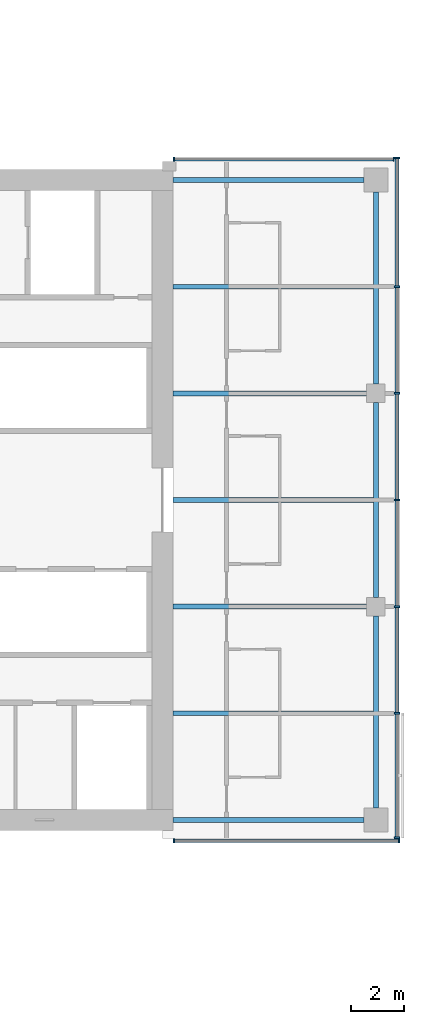
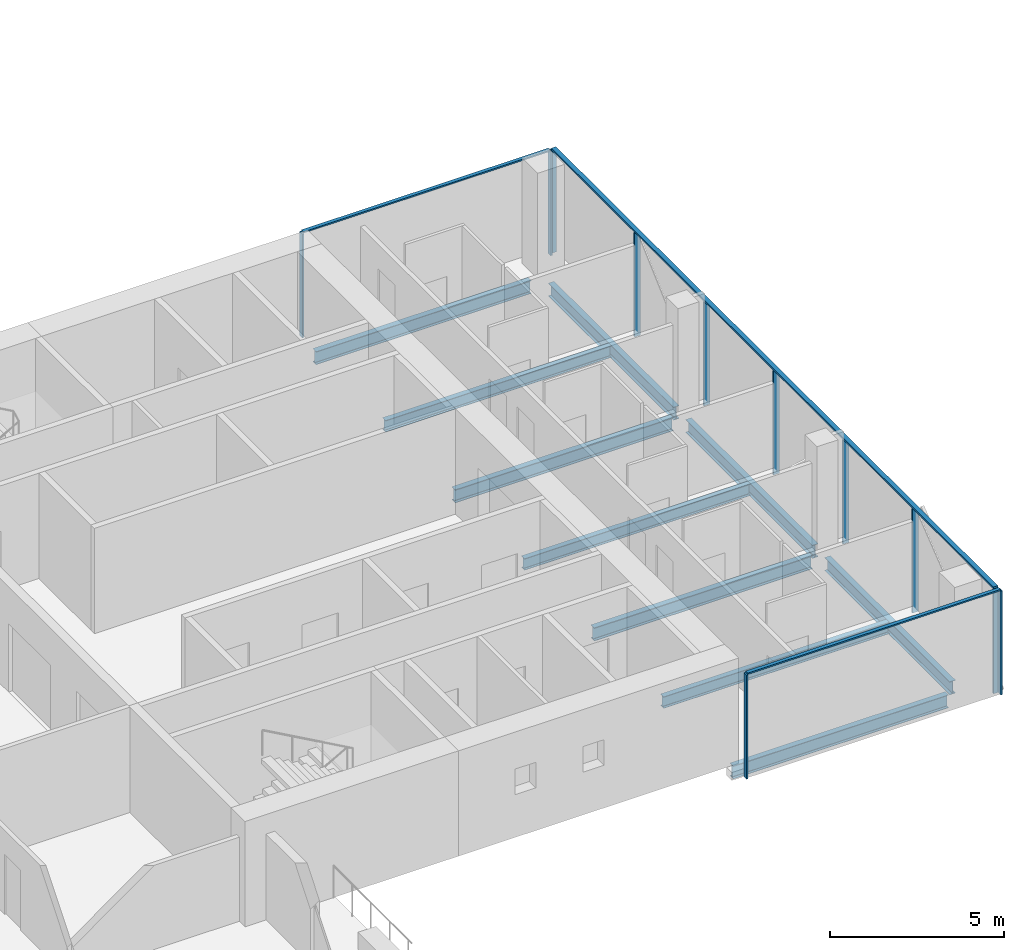
# One storey, part 11 of 27: 14 members, 10 beams, 3 elements without a shape of their own.
"""IFC4 building model written with IfcOpenShell, lengths in metres."""

from ifc_helpers import new_model, si_unit, direction, frame, origin, origin_2d, place, context, subcontext, project, spatial, rectangle, i_section, extrude, material, material_profile, profile_set, type_object, element, aggregate, save


model = new_model("IFC4")

# Units and contexts
model_context = context("Model", 3, precision=1e-05, world=origin(), true_north=direction((0.0, 1.0)))
body_context = subcontext(model_context, "Body", "Model", "MODEL_VIEW")
ifc_project = project(units=[si_unit("LENGTHUNIT", "METRE"), si_unit("AREAUNIT", "SQUARE_METRE"), si_unit("VOLUMEUNIT", "CUBIC_METRE"), si_unit("PLANEANGLEUNIT", "RADIAN"), si_unit("MASSUNIT", "GRAM", prefix="KILO")], contexts=[model_context])

# Site, building, storey
site_placement = place(None, origin())
site = spatial("IfcSite", under=ifc_project, at=site_placement, CompositionType="ELEMENT")
building_placement = place(site_placement, origin())
building = spatial("IfcBuilding", under=site, at=building_placement, Name="Crosswind Convention Tower", CompositionType="ELEMENT")
storey_placement = place(building_placement, frame((0.0, 0.0, 86.800048828125)))
storey = spatial("IfcBuildingStorey", under=building, at=storey_placement, Name="L16", CompositionType="ELEMENT", Elevation=86.800048828125)

# Beams
ifc_material_1 = material(Name="Steel S355", Category="steel")
ifc_material_profile_1 = material_profile(ifc_material_1, i_section(OverallWidth=0.1904296875, OverallDepth=0.457275390625, WebThickness=0.009033203125, FlangeThickness=0.014404296875, FilletRadius=0.01025390625, at=origin_2d()), Name="UB 457x191x75")
ifc_profile_set_1 = profile_set([ifc_material_profile_1], Name="Steel S355")
beam_type_1 = type_object("IfcBeamType", Name="Edge beam UB 457x191x75", PredefinedType="SPANDREL", material=ifc_profile_set_1)
for number, where, z_axis, x_axis, name in (
    (1, (153.39990234375, 88.0, -0.508544921875), (1.0, 0.0, 0.0), (0.0, 1.0, 0.0), "B17 L16 edge beam 24"),
    (2, (153.39990234375, 112.0, -0.508544921875), (1.0, 0.0, 0.0), (0.0, 1.0, 0.0), "B17 L16 edge beam 25"),
):
    element("IfcBeam", number, at=place(storey_placement, frame(where, z_axis=z_axis, x_axis=x_axis)), inside=storey, type_object=beam_type_1, Name=name, PredefinedType="SPANDREL", context=body_context, shape_type="SweptSolid", body=[
        extrude(i_section(OverallWidth=0.1904296875, OverallDepth=0.457275390625, WebThickness=0.009033203125, FlangeThickness=0.014404296875, FilletRadius=0.01025390625, at=origin_2d()), origin(), (0.0, 0.0, 1.0), 7.150146484375),
    ])
beam_1_placement = place(storey_placement, frame((161.0, 88.449951171875, -0.508544921875), z_axis=(0.0, 1.0, 0.0), x_axis=(-1.0, 0.0, 0.0)))
element("IfcBeam", 3, at=beam_1_placement, inside=storey, type_object=beam_type_1, Name="B17 L16 edge beam 26", PredefinedType="SPANDREL", context=body_context, shape_type="SweptSolid", body=[
    extrude(i_section(OverallWidth=0.1904296875, OverallDepth=0.457275390625, WebThickness=0.009033203125, FlangeThickness=0.014404296875, FilletRadius=0.01025390625, at=origin_2d()), origin(), (0.0, 0.0, 1.0), 7.199951171875),
])
beam_2_placement = place(storey_placement, frame((161.0, 96.35009765625, -0.508544921875), z_axis=(0.0, 1.0, 0.0), x_axis=(-1.0, 0.0, 0.0)))
element("IfcBeam", 4, at=beam_2_placement, inside=storey, type_object=beam_type_1, Name="B17 L16 edge beam 27", PredefinedType="SPANDREL", context=body_context, shape_type="SweptSolid", body=[
    extrude(i_section(OverallWidth=0.1904296875, OverallDepth=0.457275390625, WebThickness=0.009033203125, FlangeThickness=0.014404296875, FilletRadius=0.01025390625, at=origin_2d()), origin(), (0.0, 0.0, 1.0), 7.2998046875),
])
beam_3_placement = place(storey_placement, frame((161.0, 104.35009765625, -0.508544921875), z_axis=(0.0, 1.0, 0.0), x_axis=(-1.0, 0.0, 0.0)))
element("IfcBeam", 5, at=beam_3_placement, inside=storey, type_object=beam_type_1, Name="B17 L16 edge beam 28", PredefinedType="SPANDREL", context=body_context, shape_type="SweptSolid", body=[
    extrude(i_section(OverallWidth=0.1904296875, OverallDepth=0.457275390625, WebThickness=0.009033203125, FlangeThickness=0.014404296875, FilletRadius=0.01025390625, at=origin_2d()), origin(), (0.0, 0.0, 1.0), 7.199951171875),
])
ifc_material_profile_2 = material_profile(ifc_material_1, i_section(OverallWidth=0.19189453125, OverallDepth=0.463623046875, WebThickness=0.010498046875, FlangeThickness=0.017578125, FilletRadius=0.01025390625, at=origin_2d()), Name="UB 457x191x90")
ifc_profile_set_2 = profile_set([ifc_material_profile_2], Name="Steel S355")
beam_type_2 = type_object("IfcBeamType", Name="Girder at core wall UB 457x191x90", PredefinedType="BEAM", material=ifc_profile_set_2)
for number, where, z_axis, x_axis, name in (
    (6, (153.39990234375, 96.0, -0.511962890625), (1.0, 0.0, 0.0), (0.0, 1.0, 0.0), "B24 L16 girder at core wall 11"),
    (7, (153.39990234375, 104.0, -0.511962890625), (1.0, 0.0, 0.0), (0.0, 1.0, 0.0), "B24 L16 girder at core wall 12"),
):
    element("IfcBeam", number, at=place(storey_placement, frame(where, z_axis=z_axis, x_axis=x_axis)), inside=storey, type_object=beam_type_2, Name=name, PredefinedType="BEAM", context=body_context, shape_type="SweptSolid", body=[
        extrude(i_section(OverallWidth=0.19189453125, OverallDepth=0.463623046875, WebThickness=0.010498046875, FlangeThickness=0.017578125, FilletRadius=0.01025390625, at=origin_2d()), origin(), (0.0, 0.0, 1.0), 7.25),
    ])

# Curtain wall, members
ifc_material_2 = material(Name="Aluminium unitised curtain wall", Category="aluminium")
curtain_wall_type_1 = type_object("IfcCurtainWallType", Name="CORE END SLOT WALL 160", PredefinedType="USERDEFINED", material=ifc_material_2)
curtain_wall_1_placement = place(storey_placement, origin())
curtain_wall_1 = element("IfcCurtainWall", 8, at=curtain_wall_1_placement, inside=storey, type_object=curtain_wall_type_1, Name="CW6 L16 E-N.1-1 slot", ObjectType="UNITISED", PredefinedType="USERDEFINED")
ifc_material_3 = material(Name="Aluminium mullion", Category="aluminium")
ifc_material_profile_3 = material_profile(ifc_material_3, rectangle(XDim=0.159912109375, YDim=0.050048828125, at=origin_2d()), Name="AL 160X50")
ifc_profile_set_3 = profile_set([ifc_material_profile_3], Name="Aluminium mullion")
member_type_1 = type_object("IfcMemberType", Name="MULLION 50X160", PredefinedType="MULLION", material=ifc_profile_set_3)
member_1_placement = place(storey_placement, frame((161.675048828125, 112.780029296875, -0.280029296875), z_axis=(0.0, 0.0, 1.0), x_axis=(0.0, 1.0, 0.0)))
member_1 = element("IfcMember", 9, at=member_1_placement, type_object=member_type_1, Name="CW6 mullion 1", PredefinedType="MULLION", context=body_context, shape_type="SweptSolid", body=[
    extrude(rectangle(XDim=0.159912109375, YDim=0.050048828125, at=origin_2d()), origin(), (0.0, 0.0, 1.0), 3.64990234375),
])
member_2_placement = place(storey_placement, frame((153.425048828125, 112.780029296875, -0.280029296875), z_axis=(0.0, 0.0, 1.0), x_axis=(0.0, 1.0, 0.0)))
member_2 = element("IfcMember", 10, at=member_2_placement, type_object=member_type_1, Name="CW6 mullion 2", PredefinedType="MULLION", context=body_context, shape_type="SweptSolid", body=[
    extrude(rectangle(XDim=0.159912109375, YDim=0.050048828125, at=origin_2d()), origin(), (0.0, 0.0, 1.0), 3.64990234375),
])

curtain_wall_2_placement = place(storey_placement, origin())
curtain_wall_2 = element("IfcCurtainWall", 11, at=curtain_wall_2_placement, inside=storey, type_object=curtain_wall_type_1, Name="CW6 L16 E-S.2-1 slot", ObjectType="UNITISED", PredefinedType="USERDEFINED")
member_3_placement = place(storey_placement, frame((153.425048828125, 87.219970703125, -0.280029296875), z_axis=(0.0, 0.0, 1.0), x_axis=(0.0, -1.0, 0.0)))
member_3 = element("IfcMember", 12, at=member_3_placement, type_object=member_type_1, Name="CW6 mullion 1", PredefinedType="MULLION", context=body_context, shape_type="SweptSolid", body=[
    extrude(rectangle(XDim=0.159912109375, YDim=0.050048828125, at=origin_2d()), origin(), (0.0, 0.0, 1.0), 3.64990234375),
])
member_4_placement = place(storey_placement, frame((161.875, 87.219970703125, -0.280029296875), z_axis=(0.0, 0.0, 1.0), x_axis=(0.0, -1.0, 0.0)))
member_4 = element("IfcMember", 13, at=member_4_placement, type_object=member_type_1, Name="CW6 mullion 2", PredefinedType="MULLION", context=body_context, shape_type="SweptSolid", body=[
    extrude(rectangle(XDim=0.159912109375, YDim=0.050048828125, at=origin_2d()), origin(), (0.0, 0.0, 1.0), 3.64990234375),
])

curtain_wall_type_2 = type_object("IfcCurtainWallType", Name="HOTEL UNITISED WALL 200", PredefinedType="USERDEFINED", material=ifc_material_2)
curtain_wall_3_placement = place(storey_placement, origin())
curtain_wall_3 = element("IfcCurtainWall", 14, at=curtain_wall_3_placement, inside=storey, type_object=curtain_wall_type_2, Name="CW2 L16 E-TIP 1", ObjectType="UNITISED", PredefinedType="USERDEFINED")
ifc_material_profile_4 = material_profile(ifc_material_3, rectangle(XDim=0.199951171875, YDim=0.06494140625, at=origin_2d()), Name="AL 200X65")
ifc_profile_set_4 = profile_set([ifc_material_profile_4], Name="Aluminium mullion")
member_type_2 = type_object("IfcMemberType", Name="MULLION 65X200", PredefinedType="MULLION", material=ifc_profile_set_4)
member_5_placement = place(storey_placement, frame((161.800048828125, 87.33251953125, -0.280029296875), z_axis=(0.0, 0.0, 1.0), x_axis=(1.0, 0.0, 0.0)))
member_5 = element("IfcMember", 15, at=member_5_placement, type_object=member_type_2, Name="CW2 mullion 1", PredefinedType="MULLION", context=body_context, shape_type="SweptSolid", body=[
    extrude(rectangle(XDim=0.199951171875, YDim=0.06494140625, at=origin_2d()), origin(), (0.0, 0.0, 1.0), 3.635009765625),
])
member_6_placement = place(storey_placement, frame((161.800048828125, 92.0, -0.280029296875), z_axis=(0.0, 0.0, 1.0), x_axis=(1.0, 0.0, 0.0)))
member_6 = element("IfcMember", 16, at=member_6_placement, type_object=member_type_2, Name="CW2 mullion 2", PredefinedType="MULLION", context=body_context, shape_type="SweptSolid", body=[
    extrude(rectangle(XDim=0.199951171875, YDim=0.06494140625, at=origin_2d()), origin(), (0.0, 0.0, 1.0), 3.635009765625),
])
member_7_placement = place(storey_placement, frame((161.800048828125, 96.0, -0.280029296875), z_axis=(0.0, 0.0, 1.0), x_axis=(1.0, 0.0, 0.0)))
member_7 = element("IfcMember", 17, at=member_7_placement, type_object=member_type_2, Name="CW2 mullion 3", PredefinedType="MULLION", context=body_context, shape_type="SweptSolid", body=[
    extrude(rectangle(XDim=0.199951171875, YDim=0.06494140625, at=origin_2d()), origin(), (0.0, 0.0, 1.0), 3.635009765625),
])
member_8_placement = place(storey_placement, frame((161.800048828125, 100.0, -0.280029296875), z_axis=(0.0, 0.0, 1.0), x_axis=(1.0, 0.0, 0.0)))
member_8 = element("IfcMember", 18, at=member_8_placement, type_object=member_type_2, Name="CW2 mullion 4", PredefinedType="MULLION", context=body_context, shape_type="SweptSolid", body=[
    extrude(rectangle(XDim=0.199951171875, YDim=0.06494140625, at=origin_2d()), origin(), (0.0, 0.0, 1.0), 3.635009765625),
])
member_9_placement = place(storey_placement, frame((161.800048828125, 104.0, -0.280029296875), z_axis=(0.0, 0.0, 1.0), x_axis=(1.0, 0.0, 0.0)))
member_9 = element("IfcMember", 19, at=member_9_placement, type_object=member_type_2, Name="CW2 mullion 5", PredefinedType="MULLION", context=body_context, shape_type="SweptSolid", body=[
    extrude(rectangle(XDim=0.199951171875, YDim=0.06494140625, at=origin_2d()), origin(), (0.0, 0.0, 1.0), 3.635009765625),
])
member_10_placement = place(storey_placement, frame((161.800048828125, 108.0, -0.280029296875), z_axis=(0.0, 0.0, 1.0), x_axis=(1.0, 0.0, 0.0)))
member_10 = element("IfcMember", 20, at=member_10_placement, type_object=member_type_2, Name="CW2 mullion 6", PredefinedType="MULLION", context=body_context, shape_type="SweptSolid", body=[
    extrude(rectangle(XDim=0.199951171875, YDim=0.06494140625, at=origin_2d()), origin(), (0.0, 0.0, 1.0), 3.635009765625),
])
member_11_placement = place(storey_placement, frame((161.800048828125, 112.827392578125, -0.280029296875), z_axis=(0.0, 0.0, 1.0), x_axis=(1.0, 0.0, 0.0)))
member_11 = element("IfcMember", 21, at=member_11_placement, type_object=member_type_2, Name="CW2 mullion 7", PredefinedType="MULLION", context=body_context, shape_type="SweptSolid", body=[
    extrude(rectangle(XDim=0.199951171875, YDim=0.06494140625, at=origin_2d()), origin(), (0.0, 0.0, 1.0), 3.635009765625),
])

# Beams
ifc_material_profile_5 = material_profile(ifc_material_1, i_section(OverallWidth=0.177734375, OverallDepth=0.406494140625, WebThickness=0.0078125, FlangeThickness=0.0126953125, FilletRadius=0.01025390625, at=origin_2d()), Name="UB 406x178x60")
ifc_profile_set_5 = profile_set([ifc_material_profile_5], Name="Steel S355")
beam_type_3 = type_object("IfcBeamType", Name="Secondary beam UB 406x178x60", PredefinedType="JOIST", material=ifc_profile_set_5)
for number, where, z_axis, x_axis, name in (
    (22, (153.39990234375, 92.0, -0.483154296875), (1.0, 0.0, 0.0), (0.0, 1.0, 0.0), "B10 L16 secondary beam 31"),
    (23, (153.39990234375, 100.0, -0.483154296875), (1.0, 0.0, 0.0), (0.0, 1.0, 0.0), "B10 L16 secondary beam 32"),
    (24, (153.39990234375, 108.0, -0.483154296875), (1.0, 0.0, 0.0), (0.0, 1.0, 0.0), "B10 L16 secondary beam 33"),
):
    element("IfcBeam", number, at=place(storey_placement, frame(where, z_axis=z_axis, x_axis=x_axis)), inside=storey, type_object=beam_type_3, Name=name, PredefinedType="JOIST", context=body_context, shape_type="SweptSolid", body=[
        extrude(i_section(OverallWidth=0.177734375, OverallDepth=0.406494140625, WebThickness=0.0078125, FlangeThickness=0.0126953125, FilletRadius=0.01025390625, at=origin_2d()), origin(), (0.0, 0.0, 1.0), 7.5048828125),
    ])

# Member
ifc_material_4 = material(Name="Aluminium transom", Category="aluminium")
ifc_material_profile_6 = material_profile(ifc_material_4, rectangle(XDim=0.1201171875, YDim=0.050048828125, at=origin_2d()), Name="AL 120X50")
ifc_profile_set_6 = profile_set([ifc_material_profile_6], Name="Aluminium transom")
member_type_3 = type_object("IfcMemberType", Name="TRANSOM 50X120", PredefinedType="USERDEFINED", material=ifc_profile_set_6)
member_12_placement = place(storey_placement, frame((161.64990234375, 112.780029296875, 3.39501953125), z_axis=(-1.0, 0.0, 0.0), x_axis=(0.0, -1.0, 0.0)))
member_12 = element("IfcMember", 25, at=member_12_placement, type_object=member_type_3, Name="CW6 transom", ObjectType="TRANSOM", PredefinedType="USERDEFINED", context=body_context, shape_type="SweptSolid", body=[
    extrude(rectangle(XDim=0.1201171875, YDim=0.050048828125, at=origin_2d()), origin(), (0.0, 0.0, 1.0), 8.199951171875),
])

aggregate(curtain_wall_1, [member_1, member_2, member_12])

member_13_placement = place(storey_placement, frame((153.449951171875, 87.219970703125, 3.39501953125), z_axis=(1.0, 0.0, 0.0), x_axis=(0.0, 1.0, 0.0)))
member_13 = element("IfcMember", 26, at=member_13_placement, type_object=member_type_3, Name="CW6 transom", ObjectType="TRANSOM", PredefinedType="USERDEFINED", context=body_context, shape_type="SweptSolid", body=[
    extrude(rectangle(XDim=0.1201171875, YDim=0.050048828125, at=origin_2d()), origin(), (0.0, 0.0, 1.0), 8.400146484375),
])

aggregate(curtain_wall_2, [member_3, member_4, member_13])

ifc_material_profile_7 = material_profile(ifc_material_4, rectangle(XDim=0.14990234375, YDim=0.06494140625, at=origin_2d()), Name="AL 150X65")
ifc_profile_set_7 = profile_set([ifc_material_profile_7], Name="Aluminium transom")
member_type_4 = type_object("IfcMemberType", Name="TRANSOM 65X150", PredefinedType="USERDEFINED", material=ifc_profile_set_7)
member_14_placement = place(storey_placement, frame((161.800048828125, 87.364990234375, 3.387451171875), z_axis=(0.0, 1.0, 0.0), x_axis=(-1.0, 0.0, 0.0)))
member_14 = element("IfcMember", 27, at=member_14_placement, type_object=member_type_4, Name="CW2 transom", ObjectType="TRANSOM", PredefinedType="USERDEFINED", context=body_context, shape_type="SweptSolid", body=[
    extrude(rectangle(XDim=0.14990234375, YDim=0.06494140625, at=origin_2d()), origin(), (0.0, 0.0, 1.0), 25.429931640625),
])

aggregate(curtain_wall_3, [member_5, member_6, member_7, member_8, member_9, member_10, member_11, member_14])

save(model, "model.ifc")
